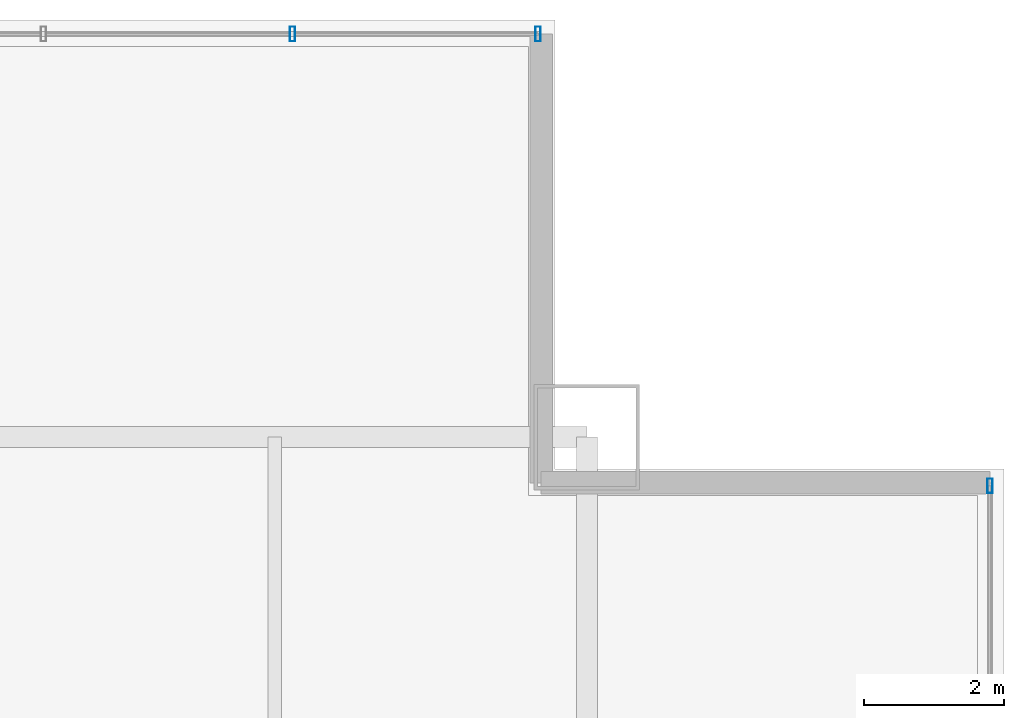
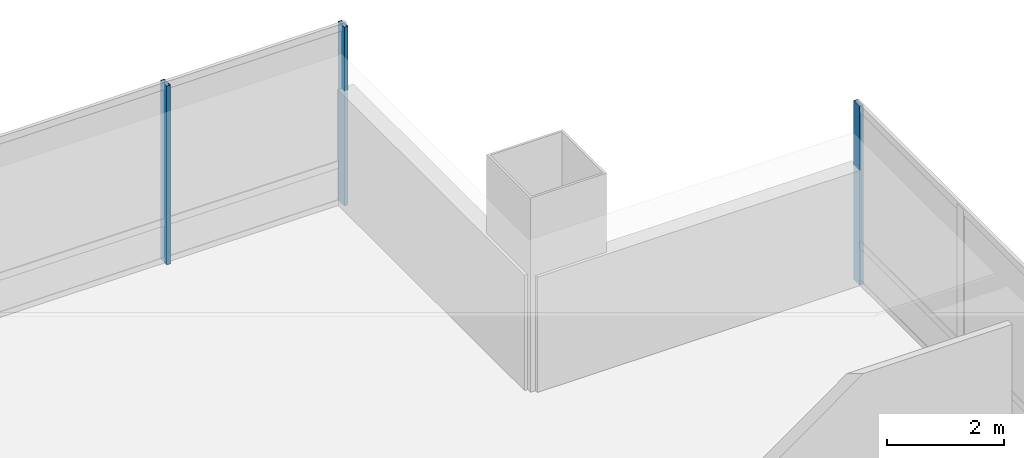
# One storey, part 25 of 33: 3 members, 2 elements without a shape of their own.
"""IFC4 building model written with IfcOpenShell, lengths in metres."""

from ifc_helpers import new_model, si_unit, direction, frame, origin, origin_2d, place, context, subcontext, project, spatial, hollow_rectangle, extrude, material, material_profile, profile_set, type_object, element, aggregate, save


model = new_model("IFC4")

# Units and contexts
model_context = context("Model", 3, precision=1e-05, world=origin(), true_north=direction((0.0, 1.0)))
body_context = subcontext(model_context, "Body", "Model", "MODEL_VIEW")
ifc_project = project(units=[si_unit("LENGTHUNIT", "METRE"), si_unit("AREAUNIT", "SQUARE_METRE"), si_unit("VOLUMEUNIT", "CUBIC_METRE"), si_unit("PLANEANGLEUNIT", "RADIAN"), si_unit("MASSUNIT", "GRAM", prefix="KILO")], contexts=[model_context])

# Site, building, storey
site_placement = place(None, origin())
site = spatial("IfcSite", under=ifc_project, at=site_placement, CompositionType="ELEMENT")
building_placement = place(site_placement, origin())
building = spatial("IfcBuilding", under=site, at=building_placement, Name="Punatoya Terracotta Tower", CompositionType="ELEMENT")
storey_placement = place(building_placement, frame((0.0, 0.0, 121.35009765625)))
storey = spatial("IfcBuildingStorey", under=building, at=storey_placement, Name="L28", CompositionType="ELEMENT", Elevation=121.35009765625)

# Curtain wall, member
ifc_material_1 = material(Name="Aluminium 6063-T6 + Double Low-E Glass", Category="aluminium")
curtain_wall_type = type_object("IfcCurtainWallType", Name="CW-M1", PredefinedType="NOTDEFINED", material=ifc_material_1)
curtain_wall_1_placement = place(storey_placement, origin())
curtain_wall_1 = element("IfcCurtainWall", 1, at=curtain_wall_1_placement, inside=storey, type_object=curtain_wall_type, Name="L28 Curtain Wall CW-L28-E05-1", PredefinedType="NOTDEFINED")
ifc_material_2 = material(Name="Aluminium 6063-T6", Category="aluminium")
ifc_material_profile = material_profile(ifc_material_2, hollow_rectangle(XDim=0.074951171875, YDim=0.2099609375, WallThickness=0.00439453125, at=origin_2d()))
ifc_profile_set = profile_set([ifc_material_profile], Name="Aluminium 6063-T6")
member_type = type_object("IfcMemberType", Name="CW-MUL-M1", PredefinedType="MULLION", material=ifc_profile_set)
member_1_placement = place(storey_placement, frame((24.85009765625, 16.804931640625, 0.0), z_axis=(0.0, 0.0, 1.0), x_axis=(1.0, 0.0, 0.0)))
member_1 = element("IfcMember", 2, at=member_1_placement, type_object=member_type, Name="CW-L28-E05-1 Mullion 09", PredefinedType="MULLION", context=body_context, shape_type="SweptSolid", body=[
    extrude(hollow_rectangle(XDim=0.074951171875, YDim=0.2099609375, WallThickness=0.00439453125, at=origin_2d()), origin(), (0.0, 0.0, 1.0), 3.72998046875),
])
aggregate(curtain_wall_1, [member_1])

# Curtain wall, members
curtain_wall_2_placement = place(storey_placement, origin())
curtain_wall_2 = element("IfcCurtainWall", 3, at=curtain_wall_2_placement, inside=storey, type_object=curtain_wall_type, Name="L28 Curtain Wall CW-L28-N08-1", PredefinedType="NOTDEFINED")
member_2_placement = place(storey_placement, frame((18.405029296875, 23.25, 0.0), z_axis=(0.0, 0.0, 1.0), x_axis=(1.0, 0.0, 0.0)))
member_2 = element("IfcMember", 4, at=member_2_placement, type_object=member_type, Name="CW-L28-N08-1 Mullion 00", PredefinedType="MULLION", context=body_context, shape_type="SweptSolid", body=[
    extrude(hollow_rectangle(XDim=0.074951171875, YDim=0.2099609375, WallThickness=0.00439453125, at=origin_2d()), origin(), (0.0, 0.0, 1.0), 3.72998046875),
])
member_3_placement = place(storey_placement, frame((14.9013671875, 23.25, 0.0), z_axis=(0.0, 0.0, 1.0), x_axis=(1.0, 0.0, 0.0)))
member_3 = element("IfcMember", 5, at=member_3_placement, type_object=member_type, Name="CW-L28-N08-1 Mullion 01", PredefinedType="MULLION", context=body_context, shape_type="SweptSolid", body=[
    extrude(hollow_rectangle(XDim=0.074951171875, YDim=0.2099609375, WallThickness=0.00439453125, at=origin_2d()), origin(), (0.0, 0.0, 1.0), 3.72998046875),
])
aggregate(curtain_wall_2, [member_2, member_3])

save(model, "model.ifc")
